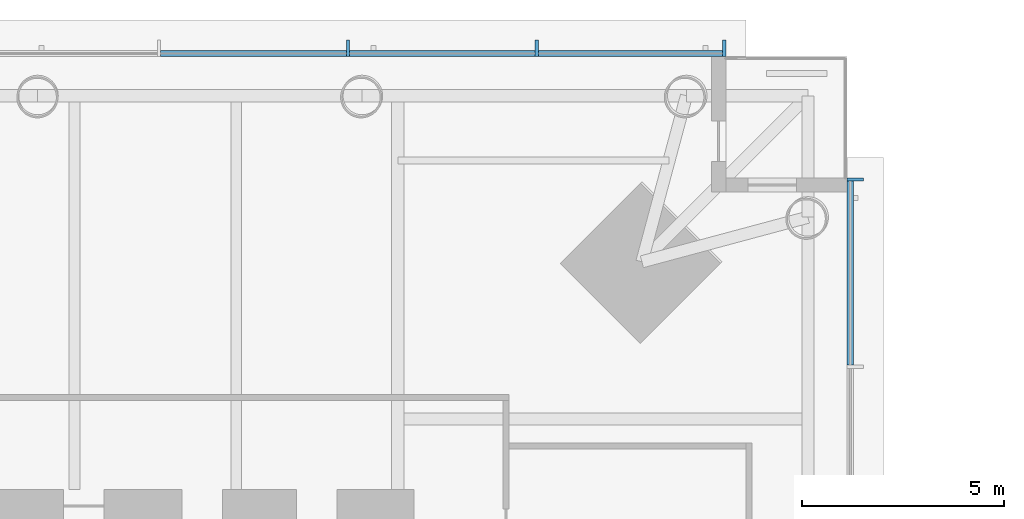
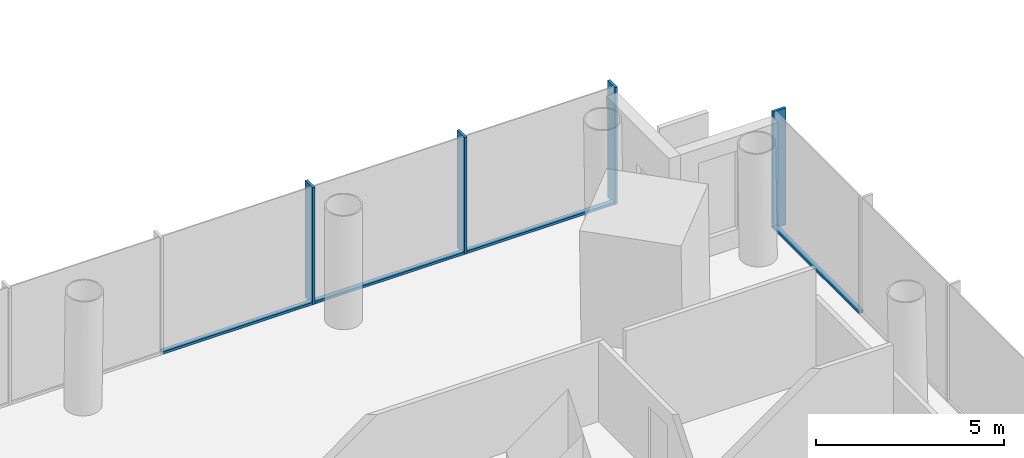
# One storey, part 4 of 26: 8 members, 2 elements without a shape of their own.
"""IFC4 building model written with IfcOpenShell, lengths in metres."""

from ifc_helpers import new_model, si_unit, direction, frame, origin, origin_2d, place, context, subcontext, project, spatial, rectangle, extrude, material, material_profile, profile_set, type_object, element, aggregate, save


model = new_model("IFC4")

# Units and contexts
model_context = context("Model", 3, precision=1e-05, world=origin(), true_north=direction((0.0, 1.0)))
body_context = subcontext(model_context, "Body", "Model", "MODEL_VIEW")
ifc_project = project(units=[si_unit("LENGTHUNIT", "METRE"), si_unit("AREAUNIT", "SQUARE_METRE"), si_unit("VOLUMEUNIT", "CUBIC_METRE"), si_unit("PLANEANGLEUNIT", "RADIAN"), si_unit("MASSUNIT", "GRAM", prefix="KILO")], contexts=[model_context])

# Site, building, storey
site_placement = place(None, origin())
site = spatial("IfcSite", under=ifc_project, at=site_placement, CompositionType="ELEMENT")
building_placement = place(site_placement, origin())
building = spatial("IfcBuilding", under=site, at=building_placement, Name="Ostroluk Exchange", CompositionType="ELEMENT")
storey_placement = place(building_placement, frame((0.0, 0.0, 51.39990234375)))
storey = spatial("IfcBuildingStorey", under=building, at=storey_placement, Name="L12", CompositionType="ELEMENT", Elevation=51.39990234375)

# Curtain wall, member
ifc_material_1 = material(Name="Laminated clear glass", Category="glass")
curtain_wall_type = type_object("IfcCurtainWallType", Name="Office tower facade", PredefinedType="USERDEFINED", material=ifc_material_1)
curtain_wall_1_placement = place(storey_placement, origin())
curtain_wall_1 = element("IfcCurtainWall", 1, at=curtain_wall_1_placement, inside=storey, type_object=curtain_wall_type, Name="Office tower east facade L12", ObjectType="UNITISED CURTAIN WALL", PredefinedType="USERDEFINED")
ifc_material_2 = material(Name="Aluminium mullion", Category="aluminium")
ifc_material_profile_1 = material_profile(ifc_material_2, rectangle(XDim=0.14990234375, YDim=0.080078125, at=origin_2d()), Name="Sill transom 80 x 150")
ifc_profile_set_1 = profile_set([ifc_material_profile_1], Name="Aluminium mullion")
member_type_1 = type_object("IfcMemberType", Name="Sill transom 80 x 150", PredefinedType="USERDEFINED", material=ifc_profile_set_1)
member_1_placement = place(storey_placement, frame((69.074951171875, 62.373291015625, 0.0400390625), z_axis=(0.0, 1.0, 0.0), x_axis=(-1.0, 0.0, 0.0)))
member_1 = element("IfcMember", 2, at=member_1_placement, type_object=member_type_1, Name="CW-O1 transom 9.1", ObjectType="TRANSOM", PredefinedType="USERDEFINED", context=body_context, shape_type="SweptSolid", body=[
    extrude(rectangle(XDim=0.14990234375, YDim=0.080078125, at=origin_2d()), origin(), (0.0, 0.0, 1.0), 4.546630859375),
])

# Curtain wall, members
curtain_wall_2_placement = place(storey_placement, origin())
curtain_wall_2 = element("IfcCurtainWall", 3, at=curtain_wall_2_placement, inside=storey, type_object=curtain_wall_type, Name="Office tower north facade L12", ObjectType="UNITISED CURTAIN WALL", PredefinedType="USERDEFINED")
member_2_placement = place(storey_placement, frame((65.919921875, 70.074951171875, 0.0400390625), z_axis=(-1.0, 0.0, 0.0), x_axis=(0.0, -1.0, 0.0)))
member_2 = element("IfcMember", 4, at=member_2_placement, type_object=member_type_1, Name="CW-O1 transom 1.1", ObjectType="TRANSOM", PredefinedType="USERDEFINED", context=body_context, shape_type="SweptSolid", body=[
    extrude(rectangle(XDim=0.14990234375, YDim=0.080078125, at=origin_2d()), origin(), (0.0, 0.0, 1.0), 4.546630859375),
])
member_3_placement = place(storey_placement, frame((61.293212890625, 70.074951171875, 0.0400390625), z_axis=(-1.0, 0.0, 0.0), x_axis=(0.0, -1.0, 0.0)))
member_3 = element("IfcMember", 5, at=member_3_placement, type_object=member_type_1, Name="CW-O1 transom 2.1", ObjectType="TRANSOM", PredefinedType="USERDEFINED", context=body_context, shape_type="SweptSolid", body=[
    extrude(rectangle(XDim=0.14990234375, YDim=0.080078125, at=origin_2d()), origin(), (0.0, 0.0, 1.0), 4.58642578125),
])
member_4_placement = place(storey_placement, frame((56.626708984375, 70.074951171875, 0.0400390625), z_axis=(-1.0, 0.0, 0.0), x_axis=(0.0, -1.0, 0.0)))
member_4 = element("IfcMember", 6, at=member_4_placement, type_object=member_type_1, Name="CW-O1 transom 3.1", ObjectType="TRANSOM", PredefinedType="USERDEFINED", context=body_context, shape_type="SweptSolid", body=[
    extrude(rectangle(XDim=0.14990234375, YDim=0.080078125, at=origin_2d()), origin(), (0.0, 0.0, 1.0), 4.586669921875),
])

# Member
ifc_material_3 = material(Name="Aluminium mullion with limestone facing", Category="masonry")
ifc_material_profile_2 = material_profile(ifc_material_3, rectangle(XDim=0.39990234375, YDim=0.080078125, at=origin_2d()), Name="Tracery mullion 80 x 400")
ifc_profile_set_2 = profile_set([ifc_material_profile_2], Name="Aluminium mullion with limestone facing")
member_type_2 = type_object("IfcMemberType", Name="Tracery mullion 80 x 400", PredefinedType="MULLION", material=ifc_profile_set_2)
member_5_placement = place(storey_placement, frame((69.199951171875, 66.9599609375, 0.0), z_axis=(0.0, 0.0, 1.0), x_axis=(-1.0, 0.0, 0.0)))
member_5 = element("IfcMember", 7, at=member_5_placement, type_object=member_type_2, Name="CW-O1 mullion 10", PredefinedType="MULLION", context=body_context, shape_type="SweptSolid", body=[
    extrude(rectangle(XDim=0.39990234375, YDim=0.080078125, at=origin_2d()), origin(), (0.0, 0.0, 1.0), 3.800048828125),
])

aggregate(curtain_wall_1, [member_5, member_1])

member_6_placement = place(storey_placement, frame((65.9599609375, 70.199951171875, 0.0), z_axis=(0.0, 0.0, 1.0), x_axis=(0.0, -1.0, 0.0)))
member_6 = element("IfcMember", 8, at=member_6_placement, type_object=member_type_2, Name="CW-O1 mullion 1", PredefinedType="MULLION", context=body_context, shape_type="SweptSolid", body=[
    extrude(rectangle(XDim=0.39990234375, YDim=0.080078125, at=origin_2d()), origin(), (0.0, 0.0, 1.0), 3.800048828125),
])

member_7_placement = place(storey_placement, frame((61.333251953125, 70.199951171875, 0.0), z_axis=(0.0, 0.0, 1.0), x_axis=(0.0, -1.0, 0.0)))
member_7 = element("IfcMember", 9, at=member_7_placement, type_object=member_type_2, Name="CW-O1 mullion 2", PredefinedType="MULLION", context=body_context, shape_type="SweptSolid", body=[
    extrude(rectangle(XDim=0.39990234375, YDim=0.080078125, at=origin_2d()), origin(), (0.0, 0.0, 1.0), 3.800048828125),
])

member_8_placement = place(storey_placement, frame((56.666748046875, 70.199951171875, 0.0), z_axis=(0.0, 0.0, 1.0), x_axis=(0.0, -1.0, 0.0)))
member_8 = element("IfcMember", 10, at=member_8_placement, type_object=member_type_2, Name="CW-O1 mullion 3", PredefinedType="MULLION", context=body_context, shape_type="SweptSolid", body=[
    extrude(rectangle(XDim=0.39990234375, YDim=0.080078125, at=origin_2d()), origin(), (0.0, 0.0, 1.0), 3.800048828125),
])

aggregate(curtain_wall_2, [member_6, member_7, member_8, member_2, member_3, member_4])

save(model, "model.ifc")
